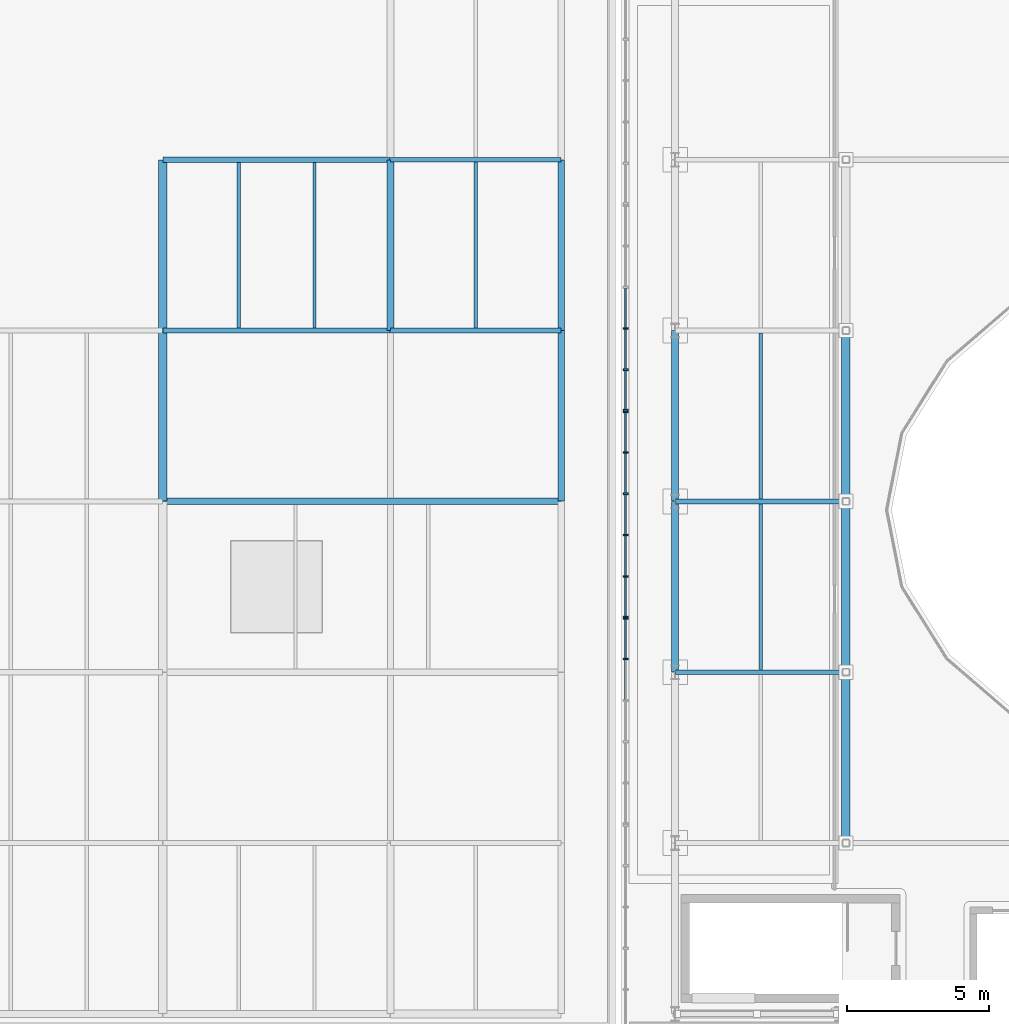
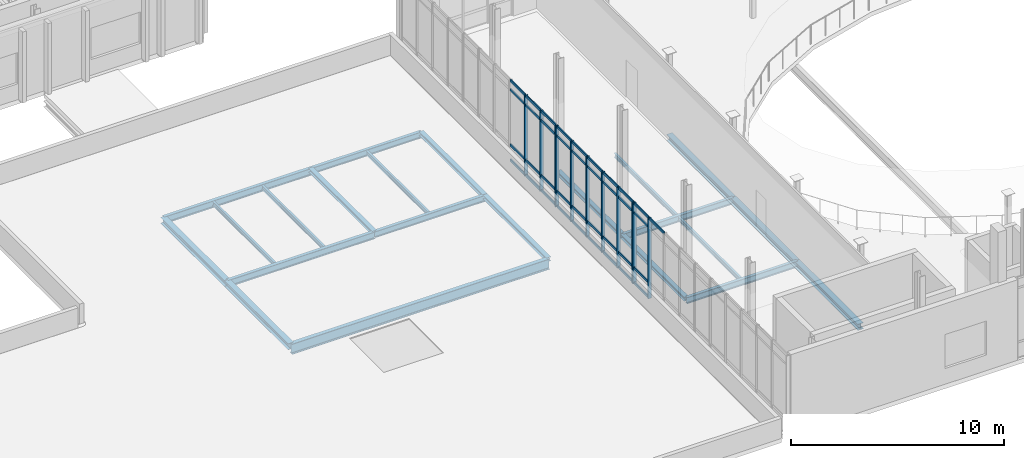
# One storey, part 14 of 86: 48 members, 22 beams, 3 elements without a shape of their own.
"""IFC4 building model written with IfcOpenShell, lengths in metres."""

from ifc_helpers import new_model, si_unit, direction, frame, origin, origin_2d, place, context, subcontext, project, spatial, rectangle, i_section, extrude, material, material_profile, profile_set, type_object, element, aggregate, save


model = new_model("IFC4")

# Units and contexts
model_context = context("Model", 3, precision=1e-05, world=origin(), true_north=direction((0.0, 1.0)))
body_context = subcontext(model_context, "Body", "Model", "MODEL_VIEW")
ifc_project = project(units=[si_unit("LENGTHUNIT", "METRE"), si_unit("AREAUNIT", "SQUARE_METRE"), si_unit("VOLUMEUNIT", "CUBIC_METRE"), si_unit("PLANEANGLEUNIT", "RADIAN"), si_unit("MASSUNIT", "GRAM", prefix="KILO")], contexts=[model_context])

# Site, building, storey
site_placement = place(None, origin())
site = spatial("IfcSite", under=ifc_project, at=site_placement, CompositionType="ELEMENT")
building_placement = place(site_placement, origin())
building = spatial("IfcBuilding", under=site, at=building_placement, Name="Cymarion Research Institute", CompositionType="ELEMENT")
storey_placement = place(building_placement, frame((0.0, 0.0, 13.800048828125)))
storey = spatial("IfcBuildingStorey", under=building, at=storey_placement, Name="L03", CompositionType="ELEMENT", Elevation=13.800048828125)

# Curtain wall, members
ifc_material_1 = material(Name="Anodised aluminium unitised curtain wall with Low-E glazing", Category="aluminium")
curtain_wall_type = type_object("IfcCurtainWallType", Name="UNITISED CURTAIN WALL CW34 7260X4620", PredefinedType="NOTDEFINED", material=ifc_material_1)
curtain_wall_1_placement = place(storey_placement, origin())
curtain_wall_1 = element("IfcCurtainWall", 1, at=curtain_wall_1_placement, inside=storey, type_object=curtain_wall_type, Name="L03 V2 unitised curtain wall CW34 #148", PredefinedType="NOTDEFINED")
ifc_material_2 = material(Name="Anodised aluminium framing", Category="aluminium")
ifc_material_profile_1 = material_profile(ifc_material_2, rectangle(XDim=0.06005859375, YDim=0.179931640625, at=origin_2d()), Name="ALU MULLION 60x180")
ifc_profile_set_1 = profile_set([ifc_material_profile_1], Name="Anodised aluminium framing")
member_type_1 = type_object("IfcMemberType", Name="CURTAIN WALL MULLION ML01 60X180", PredefinedType="MULLION", material=ifc_profile_set_1)
member_1_placement = place(storey_placement, frame((54.860107421875, 29.5703125, 0.0), z_axis=(0.0, 0.0, 1.0), x_axis=(0.0, -1.0, 0.0)))
member_1 = element("IfcMember", 2, at=member_1_placement, type_object=member_type_1, Name="CW34 mullion 4", PredefinedType="MULLION", context=body_context, shape_type="SweptSolid", body=[
    extrude(rectangle(XDim=0.06005859375, YDim=0.179931640625, at=origin_2d()), origin(), (0.0, 0.0, 1.0), 4.619873046875),
])
member_2_placement = place(storey_placement, frame((54.860107421875, 28.119140625, 0.0), z_axis=(0.0, 0.0, 1.0), x_axis=(0.0, -1.0, 0.0)))
member_2 = element("IfcMember", 3, at=member_2_placement, type_object=member_type_1, Name="CW34 mullion 5", PredefinedType="MULLION", context=body_context, shape_type="SweptSolid", body=[
    extrude(rectangle(XDim=0.06005859375, YDim=0.179931640625, at=origin_2d()), origin(), (0.0, 0.0, 1.0), 4.619873046875),
])
member_3_placement = place(storey_placement, frame((54.860107421875, 26.697998046875, 0.0), z_axis=(0.0, 0.0, 1.0), x_axis=(0.0, -1.0, 0.0)))
member_3 = element("IfcMember", 4, at=member_3_placement, type_object=member_type_1, Name="CW34 mullion 6", PredefinedType="MULLION", context=body_context, shape_type="SweptSolid", body=[
    extrude(rectangle(XDim=0.06005859375, YDim=0.179931640625, at=origin_2d()), origin(), (0.0, 0.0, 1.0), 4.619873046875),
])

curtain_wall_2_placement = place(storey_placement, origin())
curtain_wall_2 = element("IfcCurtainWall", 5, at=curtain_wall_2_placement, inside=storey, type_object=curtain_wall_type, Name="L03 V2 unitised curtain wall CW34 #149", PredefinedType="NOTDEFINED")
member_4_placement = place(storey_placement, frame((54.860107421875, 26.637939453125, 0.0), z_axis=(0.0, 0.0, 1.0), x_axis=(0.0, -1.0, 0.0)))
member_4 = element("IfcMember", 6, at=member_4_placement, type_object=member_type_1, Name="CW34 mullion 1", PredefinedType="MULLION", context=body_context, shape_type="SweptSolid", body=[
    extrude(rectangle(XDim=0.06005859375, YDim=0.179931640625, at=origin_2d()), origin(), (0.0, 0.0, 1.0), 4.619873046875),
])
member_5_placement = place(storey_placement, frame((54.860107421875, 25.216796875, 0.0), z_axis=(0.0, 0.0, 1.0), x_axis=(0.0, -1.0, 0.0)))
member_5 = element("IfcMember", 7, at=member_5_placement, type_object=member_type_1, Name="CW34 mullion 2", PredefinedType="MULLION", context=body_context, shape_type="SweptSolid", body=[
    extrude(rectangle(XDim=0.06005859375, YDim=0.179931640625, at=origin_2d()), origin(), (0.0, 0.0, 1.0), 4.619873046875),
])
member_6_placement = place(storey_placement, frame((54.860107421875, 23.765625, 0.0), z_axis=(0.0, 0.0, 1.0), x_axis=(0.0, -1.0, 0.0)))
member_6 = element("IfcMember", 8, at=member_6_placement, type_object=member_type_1, Name="CW34 mullion 3", PredefinedType="MULLION", context=body_context, shape_type="SweptSolid", body=[
    extrude(rectangle(XDim=0.06005859375, YDim=0.179931640625, at=origin_2d()), origin(), (0.0, 0.0, 1.0), 4.619873046875),
])
member_7_placement = place(storey_placement, frame((54.860107421875, 22.314453125, 0.0), z_axis=(0.0, 0.0, 1.0), x_axis=(0.0, -1.0, 0.0)))
member_7 = element("IfcMember", 9, at=member_7_placement, type_object=member_type_1, Name="CW34 mullion 4", PredefinedType="MULLION", context=body_context, shape_type="SweptSolid", body=[
    extrude(rectangle(XDim=0.06005859375, YDim=0.179931640625, at=origin_2d()), origin(), (0.0, 0.0, 1.0), 4.619873046875),
])
member_8_placement = place(storey_placement, frame((54.860107421875, 20.86328125, 0.0), z_axis=(0.0, 0.0, 1.0), x_axis=(0.0, -1.0, 0.0)))
member_8 = element("IfcMember", 10, at=member_8_placement, type_object=member_type_1, Name="CW34 mullion 5", PredefinedType="MULLION", context=body_context, shape_type="SweptSolid", body=[
    extrude(rectangle(XDim=0.06005859375, YDim=0.179931640625, at=origin_2d()), origin(), (0.0, 0.0, 1.0), 4.619873046875),
])
member_9_placement = place(storey_placement, frame((54.860107421875, 19.44189453125, 0.0), z_axis=(0.0, 0.0, 1.0), x_axis=(0.0, -1.0, 0.0)))
member_9 = element("IfcMember", 11, at=member_9_placement, type_object=member_type_1, Name="CW34 mullion 6", PredefinedType="MULLION", context=body_context, shape_type="SweptSolid", body=[
    extrude(rectangle(XDim=0.06005859375, YDim=0.179931640625, at=origin_2d()), origin(), (0.0, 0.0, 1.0), 4.619873046875),
])

curtain_wall_3_placement = place(storey_placement, origin())
curtain_wall_3 = element("IfcCurtainWall", 12, at=curtain_wall_3_placement, inside=storey, type_object=curtain_wall_type, Name="L03 V2 unitised curtain wall CW34 #150", PredefinedType="NOTDEFINED")
member_10_placement = place(storey_placement, frame((54.860107421875, 19.382080078125, 0.0), z_axis=(0.0, 0.0, 1.0), x_axis=(0.0, -1.0, 0.0)))
member_10 = element("IfcMember", 13, at=member_10_placement, type_object=member_type_1, Name="CW34 mullion 1", PredefinedType="MULLION", context=body_context, shape_type="SweptSolid", body=[
    extrude(rectangle(XDim=0.06005859375, YDim=0.179931640625, at=origin_2d()), origin(), (0.0, 0.0, 1.0), 4.619873046875),
])
member_11_placement = place(storey_placement, frame((54.860107421875, 17.960693359375, 0.0), z_axis=(0.0, 0.0, 1.0), x_axis=(0.0, -1.0, 0.0)))
member_11 = element("IfcMember", 14, at=member_11_placement, type_object=member_type_1, Name="CW34 mullion 2", PredefinedType="MULLION", context=body_context, shape_type="SweptSolid", body=[
    extrude(rectangle(XDim=0.06005859375, YDim=0.179931640625, at=origin_2d()), origin(), (0.0, 0.0, 1.0), 4.619873046875),
])

# Member
ifc_material_profile_2 = material_profile(ifc_material_2, rectangle(XDim=0.06005859375, YDim=0.14990234375, at=origin_2d()), Name="ALU TRANSOM 60x150")
ifc_profile_set_2 = profile_set([ifc_material_profile_2], Name="Anodised aluminium framing")
member_type_2 = type_object("IfcMemberType", Name="CURTAIN WALL TRANSOM TR01 60X150", PredefinedType="USERDEFINED", material=ifc_profile_set_2)
member_12_placement = place(storey_placement, frame((54.860107421875, 30.99169921875, 0.030029296875), z_axis=(0.0, -1.0, 0.0), x_axis=(1.0, 0.0, 0.0)))
member_12 = element("IfcMember", 15, at=member_12_placement, type_object=member_type_2, Name="CW34 transom 3.1", ObjectType="TRANSOM", PredefinedType="USERDEFINED", context=body_context, shape_type="SweptSolid", body=[
    extrude(rectangle(XDim=0.06005859375, YDim=0.14990234375, at=origin_2d()), origin(), (0.0, 0.0, 1.0), 1.391357421875),
])

member_13_placement = place(storey_placement, frame((54.860107421875, 30.99169921875, 0.89990234375), z_axis=(0.0, -1.0, 0.0), x_axis=(1.0, 0.0, 0.0)))
member_13 = element("IfcMember", 16, at=member_13_placement, type_object=member_type_2, Name="CW34 transom 3.2", ObjectType="TRANSOM", PredefinedType="USERDEFINED", context=body_context, shape_type="SweptSolid", body=[
    extrude(rectangle(XDim=0.06005859375, YDim=0.14990234375, at=origin_2d()), origin(), (0.0, 0.0, 1.0), 1.391357421875),
])

member_14_placement = place(storey_placement, frame((54.860107421875, 30.99169921875, 4.070068359375), z_axis=(0.0, -1.0, 0.0), x_axis=(1.0, 0.0, 0.0)))
member_14 = element("IfcMember", 17, at=member_14_placement, type_object=member_type_2, Name="CW34 transom 3.3", ObjectType="TRANSOM", PredefinedType="USERDEFINED", context=body_context, shape_type="SweptSolid", body=[
    extrude(rectangle(XDim=0.06005859375, YDim=0.14990234375, at=origin_2d()), origin(), (0.0, 0.0, 1.0), 1.391357421875),
])

member_15_placement = place(storey_placement, frame((54.860107421875, 30.99169921875, 4.58984375), z_axis=(0.0, -1.0, 0.0), x_axis=(1.0, 0.0, 0.0)))
member_15 = element("IfcMember", 18, at=member_15_placement, type_object=member_type_2, Name="CW34 transom 3.4", ObjectType="TRANSOM", PredefinedType="USERDEFINED", context=body_context, shape_type="SweptSolid", body=[
    extrude(rectangle(XDim=0.06005859375, YDim=0.14990234375, at=origin_2d()), origin(), (0.0, 0.0, 1.0), 1.391357421875),
])

member_16_placement = place(storey_placement, frame((54.860107421875, 29.540283203125, 0.030029296875), z_axis=(0.0, -1.0, 0.0), x_axis=(1.0, 0.0, 0.0)))
member_16 = element("IfcMember", 19, at=member_16_placement, type_object=member_type_2, Name="CW34 transom 4.1", ObjectType="TRANSOM", PredefinedType="USERDEFINED", context=body_context, shape_type="SweptSolid", body=[
    extrude(rectangle(XDim=0.06005859375, YDim=0.14990234375, at=origin_2d()), origin(), (0.0, 0.0, 1.0), 1.39111328125),
])

member_17_placement = place(storey_placement, frame((54.860107421875, 29.540283203125, 0.89990234375), z_axis=(0.0, -1.0, 0.0), x_axis=(1.0, 0.0, 0.0)))
member_17 = element("IfcMember", 20, at=member_17_placement, type_object=member_type_2, Name="CW34 transom 4.2", ObjectType="TRANSOM", PredefinedType="USERDEFINED", context=body_context, shape_type="SweptSolid", body=[
    extrude(rectangle(XDim=0.06005859375, YDim=0.14990234375, at=origin_2d()), origin(), (0.0, 0.0, 1.0), 1.39111328125),
])

member_18_placement = place(storey_placement, frame((54.860107421875, 29.540283203125, 4.070068359375), z_axis=(0.0, -1.0, 0.0), x_axis=(1.0, 0.0, 0.0)))
member_18 = element("IfcMember", 21, at=member_18_placement, type_object=member_type_2, Name="CW34 transom 4.3", ObjectType="TRANSOM", PredefinedType="USERDEFINED", context=body_context, shape_type="SweptSolid", body=[
    extrude(rectangle(XDim=0.06005859375, YDim=0.14990234375, at=origin_2d()), origin(), (0.0, 0.0, 1.0), 1.39111328125),
])

member_19_placement = place(storey_placement, frame((54.860107421875, 29.540283203125, 4.58984375), z_axis=(0.0, -1.0, 0.0), x_axis=(1.0, 0.0, 0.0)))
member_19 = element("IfcMember", 22, at=member_19_placement, type_object=member_type_2, Name="CW34 transom 4.4", ObjectType="TRANSOM", PredefinedType="USERDEFINED", context=body_context, shape_type="SweptSolid", body=[
    extrude(rectangle(XDim=0.06005859375, YDim=0.14990234375, at=origin_2d()), origin(), (0.0, 0.0, 1.0), 1.39111328125),
])

member_20_placement = place(storey_placement, frame((54.860107421875, 28.089111328125, 0.030029296875), z_axis=(0.0, -1.0, 0.0), x_axis=(1.0, 0.0, 0.0)))
member_20 = element("IfcMember", 23, at=member_20_placement, type_object=member_type_2, Name="CW34 transom 5.1", ObjectType="TRANSOM", PredefinedType="USERDEFINED", context=body_context, shape_type="SweptSolid", body=[
    extrude(rectangle(XDim=0.06005859375, YDim=0.14990234375, at=origin_2d()), origin(), (0.0, 0.0, 1.0), 1.361083984375),
])

member_21_placement = place(storey_placement, frame((54.860107421875, 28.089111328125, 0.89990234375), z_axis=(0.0, -1.0, 0.0), x_axis=(1.0, 0.0, 0.0)))
member_21 = element("IfcMember", 24, at=member_21_placement, type_object=member_type_2, Name="CW34 transom 5.2", ObjectType="TRANSOM", PredefinedType="USERDEFINED", context=body_context, shape_type="SweptSolid", body=[
    extrude(rectangle(XDim=0.06005859375, YDim=0.14990234375, at=origin_2d()), origin(), (0.0, 0.0, 1.0), 1.361083984375),
])

member_22_placement = place(storey_placement, frame((54.860107421875, 28.089111328125, 4.070068359375), z_axis=(0.0, -1.0, 0.0), x_axis=(1.0, 0.0, 0.0)))
member_22 = element("IfcMember", 25, at=member_22_placement, type_object=member_type_2, Name="CW34 transom 5.3", ObjectType="TRANSOM", PredefinedType="USERDEFINED", context=body_context, shape_type="SweptSolid", body=[
    extrude(rectangle(XDim=0.06005859375, YDim=0.14990234375, at=origin_2d()), origin(), (0.0, 0.0, 1.0), 1.361083984375),
])

member_23_placement = place(storey_placement, frame((54.860107421875, 28.089111328125, 4.58984375), z_axis=(0.0, -1.0, 0.0), x_axis=(1.0, 0.0, 0.0)))
member_23 = element("IfcMember", 26, at=member_23_placement, type_object=member_type_2, Name="CW34 transom 5.4", ObjectType="TRANSOM", PredefinedType="USERDEFINED", context=body_context, shape_type="SweptSolid", body=[
    extrude(rectangle(XDim=0.06005859375, YDim=0.14990234375, at=origin_2d()), origin(), (0.0, 0.0, 1.0), 1.361083984375),
])

aggregate(curtain_wall_1, [member_1, member_2, member_3, member_12, member_13, member_14, member_15, member_16, member_17, member_18, member_19, member_20, member_21, member_22, member_23])

member_24_placement = place(storey_placement, frame((54.860107421875, 26.60791015625, 0.030029296875), z_axis=(0.0, -1.0, 0.0), x_axis=(1.0, 0.0, 0.0)))
member_24 = element("IfcMember", 27, at=member_24_placement, type_object=member_type_2, Name="CW34 transom 1.1", ObjectType="TRANSOM", PredefinedType="USERDEFINED", context=body_context, shape_type="SweptSolid", body=[
    extrude(rectangle(XDim=0.06005859375, YDim=0.14990234375, at=origin_2d()), origin(), (0.0, 0.0, 1.0), 1.361083984375),
])

member_25_placement = place(storey_placement, frame((54.860107421875, 26.60791015625, 0.89990234375), z_axis=(0.0, -1.0, 0.0), x_axis=(1.0, 0.0, 0.0)))
member_25 = element("IfcMember", 28, at=member_25_placement, type_object=member_type_2, Name="CW34 transom 1.2", ObjectType="TRANSOM", PredefinedType="USERDEFINED", context=body_context, shape_type="SweptSolid", body=[
    extrude(rectangle(XDim=0.06005859375, YDim=0.14990234375, at=origin_2d()), origin(), (0.0, 0.0, 1.0), 1.361083984375),
])

member_26_placement = place(storey_placement, frame((54.860107421875, 26.60791015625, 4.070068359375), z_axis=(0.0, -1.0, 0.0), x_axis=(1.0, 0.0, 0.0)))
member_26 = element("IfcMember", 29, at=member_26_placement, type_object=member_type_2, Name="CW34 transom 1.3", ObjectType="TRANSOM", PredefinedType="USERDEFINED", context=body_context, shape_type="SweptSolid", body=[
    extrude(rectangle(XDim=0.06005859375, YDim=0.14990234375, at=origin_2d()), origin(), (0.0, 0.0, 1.0), 1.361083984375),
])

member_27_placement = place(storey_placement, frame((54.860107421875, 26.60791015625, 4.58984375), z_axis=(0.0, -1.0, 0.0), x_axis=(1.0, 0.0, 0.0)))
member_27 = element("IfcMember", 30, at=member_27_placement, type_object=member_type_2, Name="CW34 transom 1.4", ObjectType="TRANSOM", PredefinedType="USERDEFINED", context=body_context, shape_type="SweptSolid", body=[
    extrude(rectangle(XDim=0.06005859375, YDim=0.14990234375, at=origin_2d()), origin(), (0.0, 0.0, 1.0), 1.361083984375),
])

member_28_placement = place(storey_placement, frame((54.860107421875, 25.186767578125, 0.030029296875), z_axis=(0.0, -1.0, 0.0), x_axis=(1.0, 0.0, 0.0)))
member_28 = element("IfcMember", 31, at=member_28_placement, type_object=member_type_2, Name="CW34 transom 2.1", ObjectType="TRANSOM", PredefinedType="USERDEFINED", context=body_context, shape_type="SweptSolid", body=[
    extrude(rectangle(XDim=0.06005859375, YDim=0.14990234375, at=origin_2d()), origin(), (0.0, 0.0, 1.0), 1.39111328125),
])

member_29_placement = place(storey_placement, frame((54.860107421875, 25.186767578125, 0.89990234375), z_axis=(0.0, -1.0, 0.0), x_axis=(1.0, 0.0, 0.0)))
member_29 = element("IfcMember", 32, at=member_29_placement, type_object=member_type_2, Name="CW34 transom 2.2", ObjectType="TRANSOM", PredefinedType="USERDEFINED", context=body_context, shape_type="SweptSolid", body=[
    extrude(rectangle(XDim=0.06005859375, YDim=0.14990234375, at=origin_2d()), origin(), (0.0, 0.0, 1.0), 1.39111328125),
])

member_30_placement = place(storey_placement, frame((54.860107421875, 25.186767578125, 4.070068359375), z_axis=(0.0, -1.0, 0.0), x_axis=(1.0, 0.0, 0.0)))
member_30 = element("IfcMember", 33, at=member_30_placement, type_object=member_type_2, Name="CW34 transom 2.3", ObjectType="TRANSOM", PredefinedType="USERDEFINED", context=body_context, shape_type="SweptSolid", body=[
    extrude(rectangle(XDim=0.06005859375, YDim=0.14990234375, at=origin_2d()), origin(), (0.0, 0.0, 1.0), 1.39111328125),
])

member_31_placement = place(storey_placement, frame((54.860107421875, 25.186767578125, 4.58984375), z_axis=(0.0, -1.0, 0.0), x_axis=(1.0, 0.0, 0.0)))
member_31 = element("IfcMember", 34, at=member_31_placement, type_object=member_type_2, Name="CW34 transom 2.4", ObjectType="TRANSOM", PredefinedType="USERDEFINED", context=body_context, shape_type="SweptSolid", body=[
    extrude(rectangle(XDim=0.06005859375, YDim=0.14990234375, at=origin_2d()), origin(), (0.0, 0.0, 1.0), 1.39111328125),
])

member_32_placement = place(storey_placement, frame((54.860107421875, 23.735595703125, 0.030029296875), z_axis=(0.0, -1.0, 0.0), x_axis=(1.0, 0.0, 0.0)))
member_32 = element("IfcMember", 35, at=member_32_placement, type_object=member_type_2, Name="CW34 transom 3.1", ObjectType="TRANSOM", PredefinedType="USERDEFINED", context=body_context, shape_type="SweptSolid", body=[
    extrude(rectangle(XDim=0.06005859375, YDim=0.14990234375, at=origin_2d()), origin(), (0.0, 0.0, 1.0), 1.39111328125),
])

member_33_placement = place(storey_placement, frame((54.860107421875, 23.735595703125, 0.89990234375), z_axis=(0.0, -1.0, 0.0), x_axis=(1.0, 0.0, 0.0)))
member_33 = element("IfcMember", 36, at=member_33_placement, type_object=member_type_2, Name="CW34 transom 3.2", ObjectType="TRANSOM", PredefinedType="USERDEFINED", context=body_context, shape_type="SweptSolid", body=[
    extrude(rectangle(XDim=0.06005859375, YDim=0.14990234375, at=origin_2d()), origin(), (0.0, 0.0, 1.0), 1.39111328125),
])

member_34_placement = place(storey_placement, frame((54.860107421875, 23.735595703125, 4.070068359375), z_axis=(0.0, -1.0, 0.0), x_axis=(1.0, 0.0, 0.0)))
member_34 = element("IfcMember", 37, at=member_34_placement, type_object=member_type_2, Name="CW34 transom 3.3", ObjectType="TRANSOM", PredefinedType="USERDEFINED", context=body_context, shape_type="SweptSolid", body=[
    extrude(rectangle(XDim=0.06005859375, YDim=0.14990234375, at=origin_2d()), origin(), (0.0, 0.0, 1.0), 1.39111328125),
])

member_35_placement = place(storey_placement, frame((54.860107421875, 23.735595703125, 4.58984375), z_axis=(0.0, -1.0, 0.0), x_axis=(1.0, 0.0, 0.0)))
member_35 = element("IfcMember", 38, at=member_35_placement, type_object=member_type_2, Name="CW34 transom 3.4", ObjectType="TRANSOM", PredefinedType="USERDEFINED", context=body_context, shape_type="SweptSolid", body=[
    extrude(rectangle(XDim=0.06005859375, YDim=0.14990234375, at=origin_2d()), origin(), (0.0, 0.0, 1.0), 1.39111328125),
])

member_36_placement = place(storey_placement, frame((54.860107421875, 22.284423828125, 0.030029296875), z_axis=(0.0, -1.0, 0.0), x_axis=(1.0, 0.0, 0.0)))
member_36 = element("IfcMember", 39, at=member_36_placement, type_object=member_type_2, Name="CW34 transom 4.1", ObjectType="TRANSOM", PredefinedType="USERDEFINED", context=body_context, shape_type="SweptSolid", body=[
    extrude(rectangle(XDim=0.06005859375, YDim=0.14990234375, at=origin_2d()), origin(), (0.0, 0.0, 1.0), 1.39111328125),
])

member_37_placement = place(storey_placement, frame((54.860107421875, 22.284423828125, 0.89990234375), z_axis=(0.0, -1.0, 0.0), x_axis=(1.0, 0.0, 0.0)))
member_37 = element("IfcMember", 40, at=member_37_placement, type_object=member_type_2, Name="CW34 transom 4.2", ObjectType="TRANSOM", PredefinedType="USERDEFINED", context=body_context, shape_type="SweptSolid", body=[
    extrude(rectangle(XDim=0.06005859375, YDim=0.14990234375, at=origin_2d()), origin(), (0.0, 0.0, 1.0), 1.39111328125),
])

member_38_placement = place(storey_placement, frame((54.860107421875, 22.284423828125, 4.070068359375), z_axis=(0.0, -1.0, 0.0), x_axis=(1.0, 0.0, 0.0)))
member_38 = element("IfcMember", 41, at=member_38_placement, type_object=member_type_2, Name="CW34 transom 4.3", ObjectType="TRANSOM", PredefinedType="USERDEFINED", context=body_context, shape_type="SweptSolid", body=[
    extrude(rectangle(XDim=0.06005859375, YDim=0.14990234375, at=origin_2d()), origin(), (0.0, 0.0, 1.0), 1.39111328125),
])

member_39_placement = place(storey_placement, frame((54.860107421875, 22.284423828125, 4.58984375), z_axis=(0.0, -1.0, 0.0), x_axis=(1.0, 0.0, 0.0)))
member_39 = element("IfcMember", 42, at=member_39_placement, type_object=member_type_2, Name="CW34 transom 4.4", ObjectType="TRANSOM", PredefinedType="USERDEFINED", context=body_context, shape_type="SweptSolid", body=[
    extrude(rectangle(XDim=0.06005859375, YDim=0.14990234375, at=origin_2d()), origin(), (0.0, 0.0, 1.0), 1.39111328125),
])

member_40_placement = place(storey_placement, frame((54.860107421875, 20.833251953125, 0.030029296875), z_axis=(0.0, -1.0, 0.0), x_axis=(1.0, 0.0, 0.0)))
member_40 = element("IfcMember", 43, at=member_40_placement, type_object=member_type_2, Name="CW34 transom 5.1", ObjectType="TRANSOM", PredefinedType="USERDEFINED", context=body_context, shape_type="SweptSolid", body=[
    extrude(rectangle(XDim=0.06005859375, YDim=0.14990234375, at=origin_2d()), origin(), (0.0, 0.0, 1.0), 1.361328125),
])

member_41_placement = place(storey_placement, frame((54.860107421875, 20.833251953125, 0.89990234375), z_axis=(0.0, -1.0, 0.0), x_axis=(1.0, 0.0, 0.0)))
member_41 = element("IfcMember", 44, at=member_41_placement, type_object=member_type_2, Name="CW34 transom 5.2", ObjectType="TRANSOM", PredefinedType="USERDEFINED", context=body_context, shape_type="SweptSolid", body=[
    extrude(rectangle(XDim=0.06005859375, YDim=0.14990234375, at=origin_2d()), origin(), (0.0, 0.0, 1.0), 1.361328125),
])

member_42_placement = place(storey_placement, frame((54.860107421875, 20.833251953125, 4.070068359375), z_axis=(0.0, -1.0, 0.0), x_axis=(1.0, 0.0, 0.0)))
member_42 = element("IfcMember", 45, at=member_42_placement, type_object=member_type_2, Name="CW34 transom 5.3", ObjectType="TRANSOM", PredefinedType="USERDEFINED", context=body_context, shape_type="SweptSolid", body=[
    extrude(rectangle(XDim=0.06005859375, YDim=0.14990234375, at=origin_2d()), origin(), (0.0, 0.0, 1.0), 1.361328125),
])

member_43_placement = place(storey_placement, frame((54.860107421875, 20.833251953125, 4.58984375), z_axis=(0.0, -1.0, 0.0), x_axis=(1.0, 0.0, 0.0)))
member_43 = element("IfcMember", 46, at=member_43_placement, type_object=member_type_2, Name="CW34 transom 5.4", ObjectType="TRANSOM", PredefinedType="USERDEFINED", context=body_context, shape_type="SweptSolid", body=[
    extrude(rectangle(XDim=0.06005859375, YDim=0.14990234375, at=origin_2d()), origin(), (0.0, 0.0, 1.0), 1.361328125),
])

aggregate(curtain_wall_2, [member_4, member_5, member_6, member_7, member_8, member_9, member_24, member_25, member_26, member_27, member_28, member_29, member_30, member_31, member_32, member_33, member_34, member_35, member_36, member_37, member_38, member_39, member_40, member_41, member_42, member_43])

member_44_placement = place(storey_placement, frame((54.860107421875, 19.35205078125, 0.030029296875), z_axis=(0.0, -1.0, 0.0), x_axis=(1.0, 0.0, 0.0)))
member_44 = element("IfcMember", 47, at=member_44_placement, type_object=member_type_2, Name="CW34 transom 1.1", ObjectType="TRANSOM", PredefinedType="USERDEFINED", context=body_context, shape_type="SweptSolid", body=[
    extrude(rectangle(XDim=0.06005859375, YDim=0.14990234375, at=origin_2d()), origin(), (0.0, 0.0, 1.0), 1.361328125),
])

member_45_placement = place(storey_placement, frame((54.860107421875, 19.35205078125, 0.89990234375), z_axis=(0.0, -1.0, 0.0), x_axis=(1.0, 0.0, 0.0)))
member_45 = element("IfcMember", 48, at=member_45_placement, type_object=member_type_2, Name="CW34 transom 1.2", ObjectType="TRANSOM", PredefinedType="USERDEFINED", context=body_context, shape_type="SweptSolid", body=[
    extrude(rectangle(XDim=0.06005859375, YDim=0.14990234375, at=origin_2d()), origin(), (0.0, 0.0, 1.0), 1.361328125),
])

member_46_placement = place(storey_placement, frame((54.860107421875, 19.35205078125, 4.070068359375), z_axis=(0.0, -1.0, 0.0), x_axis=(1.0, 0.0, 0.0)))
member_46 = element("IfcMember", 49, at=member_46_placement, type_object=member_type_2, Name="CW34 transom 1.3", ObjectType="TRANSOM", PredefinedType="USERDEFINED", context=body_context, shape_type="SweptSolid", body=[
    extrude(rectangle(XDim=0.06005859375, YDim=0.14990234375, at=origin_2d()), origin(), (0.0, 0.0, 1.0), 1.361328125),
])

member_47_placement = place(storey_placement, frame((54.860107421875, 19.35205078125, 4.58984375), z_axis=(0.0, -1.0, 0.0), x_axis=(1.0, 0.0, 0.0)))
member_47 = element("IfcMember", 50, at=member_47_placement, type_object=member_type_2, Name="CW34 transom 1.4", ObjectType="TRANSOM", PredefinedType="USERDEFINED", context=body_context, shape_type="SweptSolid", body=[
    extrude(rectangle(XDim=0.06005859375, YDim=0.14990234375, at=origin_2d()), origin(), (0.0, 0.0, 1.0), 1.361328125),
])

member_48_placement = place(storey_placement, frame((54.860107421875, 17.930908203125, 4.58984375), z_axis=(0.0, -1.0, 0.0), x_axis=(1.0, 0.0, 0.0)))
member_48 = element("IfcMember", 51, at=member_48_placement, type_object=member_type_2, Name="CW34 transom 2.4", ObjectType="TRANSOM", PredefinedType="USERDEFINED", context=body_context, shape_type="SweptSolid", body=[
    extrude(rectangle(XDim=0.06005859375, YDim=0.14990234375, at=origin_2d()), origin(), (0.0, 0.0, 1.0), 1.391357421875),
])

aggregate(curtain_wall_3, [member_10, member_11, member_44, member_45, member_46, member_47, member_48])

# Beams
ifc_material_3 = material(Name="Steel S355", Category="steel")
ifc_material_profile_3 = material_profile(ifc_material_3, i_section(OverallWidth=0.219970703125, OverallDepth=0.60009765625, WebThickness=0.011962890625, FlangeThickness=0.01904296875, FilletRadius=0.02392578125, at=origin_2d()), Name="IPE 600")
ifc_profile_set_3 = profile_set([ifc_material_profile_3], Name="Steel S355")
beam_type_1 = type_object("IfcBeamType", Name="PRIMARY GIRDER BM01 IPE 600", PredefinedType="BEAM", material=ifc_profile_set_3)
beam_1_placement = place(storey_placement, frame((38.60595703125, 23.5, -0.5400390625), z_axis=(1.0, 0.0, 0.0), x_axis=(0.0, 1.0, 0.0)))
element("IfcBeam", 52, at=beam_1_placement, inside=storey, type_object=beam_type_1, Name="L03 V3 girder BM01 #1368", PredefinedType="BEAM", context=body_context, shape_type="SweptSolid", body=[
    extrude(i_section(OverallWidth=0.219970703125, OverallDepth=0.60009765625, WebThickness=0.011962890625, FlangeThickness=0.01904296875, FilletRadius=0.02392578125, at=origin_2d()), origin(), (0.0, 0.0, 1.0), 13.988037109375),
])
ifc_material_profile_4 = material_profile(ifc_material_3, i_section(OverallWidth=0.179931640625, OverallDepth=0.39990234375, WebThickness=0.008544921875, FlangeThickness=0.013427734375, FilletRadius=0.02099609375, at=origin_2d()), Name="IPE 400")
ifc_profile_set_4 = profile_set([ifc_material_profile_4], Name="Steel S355")
beam_type_2 = type_object("IfcBeamType", Name="PRIMARY GIRDER BM05 IPE 400", PredefinedType="BEAM", material=ifc_profile_set_4)
for number, where, z_axis, x_axis, name in (
    (53, (38.60595703125, 29.5, -0.43994140625), (1.0, 0.0, 0.0), (0.0, 1.0, 0.0), "L03 V3 girder BM05 #1373"),
    (54, (38.60595703125, 35.5, -0.43994140625), (1.0, 0.0, 0.0), (0.0, 1.0, 0.0), "L03 V3 girder BM05 #1375"),
):
    element("IfcBeam", number, at=place(storey_placement, frame(where, z_axis=z_axis, x_axis=x_axis)), inside=storey, type_object=beam_type_2, Name=name, PredefinedType="BEAM", context=body_context, shape_type="SweptSolid", body=[
        extrude(i_section(OverallWidth=0.179931640625, OverallDepth=0.39990234375, WebThickness=0.008544921875, FlangeThickness=0.013427734375, FilletRadius=0.02099609375, at=origin_2d()), origin(), (0.0, 0.0, 1.0), 7.988037109375),
    ])
ifc_material_profile_5 = material_profile(ifc_material_3, i_section(OverallWidth=0.169921875, OverallDepth=0.360107421875, WebThickness=0.008056640625, FlangeThickness=0.0126953125, FilletRadius=0.01806640625, at=origin_2d()), Name="IPE 360")
ifc_profile_set_5 = profile_set([ifc_material_profile_5], Name="Steel S355")
beam_type_3 = type_object("IfcBeamType", Name="PRIMARY GIRDER BM06 IPE 360", PredefinedType="BEAM", material=ifc_profile_set_5)
for number, where, z_axis, x_axis, name in (
    (55, (56.60595703125, 17.5, -0.429931640625), (1.0, 0.0, 0.0), (0.0, 1.0, 0.0), "L03 V2 girder BM06 #1294"),
    (56, (56.60595703125, 23.5, -0.429931640625), (1.0, 0.0, 0.0), (0.0, 1.0, 0.0), "L03 V2 girder BM06 #1296"),
    (57, (46.60595703125, 29.5, -0.420166015625), (1.0, 0.0, 0.0), (0.0, 1.0, 0.0), "L03 V3 girder BM06 #1374"),
    (58, (46.60595703125, 35.5, -0.420166015625), (1.0, 0.0, 0.0), (0.0, 1.0, 0.0), "L03 V3 girder BM06 #1376"),
):
    element("IfcBeam", number, at=place(storey_placement, frame(where, z_axis=z_axis, x_axis=x_axis)), inside=storey, type_object=beam_type_3, Name=name, PredefinedType="BEAM", context=body_context, shape_type="SweptSolid", body=[
        extrude(i_section(OverallWidth=0.169921875, OverallDepth=0.360107421875, WebThickness=0.008056640625, FlangeThickness=0.0126953125, FilletRadius=0.01806640625, at=origin_2d()), origin(), (0.0, 0.0, 1.0), 5.988037109375),
    ])
ifc_material_profile_6 = material_profile(ifc_material_3, i_section(OverallWidth=0.300048828125, OverallDepth=0.35009765625, WebThickness=0.010009765625, FlangeThickness=0.017578125, FilletRadius=0.027099609375, at=origin_2d()), Name="HEA 360")
ifc_profile_set_6 = profile_set([ifc_material_profile_6], Name="Steel S355")
beam_type_4 = type_object("IfcBeamType", Name="PRIMARY GIRDER BM12 HEA 360", PredefinedType="BEAM", material=ifc_profile_set_6)
for number, where, z_axis, x_axis, name in (
    (59, (62.60009765625, 11.506103515625, -0.425048828125), (0.0, 1.0, 0.0), (-1.0, 0.0, 0.0), "L03 V2 girder BM12 #1318"),
    (60, (62.60009765625, 17.506103515625, -0.425048828125), (0.0, 1.0, 0.0), (-1.0, 0.0, 0.0), "L03 V2 girder BM12 #1319"),
    (61, (62.60009765625, 23.506103515625, -0.425048828125), (0.0, 1.0, 0.0), (-1.0, 0.0, 0.0), "L03 V2 girder BM12 #1320"),
    (62, (38.60009765625, 23.506103515625, -0.4150390625), (0.0, 1.0, 0.0), (-1.0, 0.0, 0.0), "L03 V3 girder BM12 #1399"),
    (63, (38.60009765625, 29.506103515625, -0.4150390625), (0.0, 1.0, 0.0), (-1.0, 0.0, 0.0), "L03 V3 girder BM12 #1400"),
):
    element("IfcBeam", number, at=place(storey_placement, frame(where, z_axis=z_axis, x_axis=x_axis)), inside=storey, type_object=beam_type_4, Name=name, PredefinedType="BEAM", context=body_context, shape_type="SweptSolid", body=[
        extrude(i_section(OverallWidth=0.300048828125, OverallDepth=0.35009765625, WebThickness=0.010009765625, FlangeThickness=0.017578125, FilletRadius=0.027099609375, at=origin_2d()), origin(), (0.0, 0.0, 1.0), 5.98779296875),
    ])
ifc_material_profile_7 = material_profile(ifc_material_3, i_section(OverallWidth=0.1201171875, OverallDepth=0.239990234375, WebThickness=0.006103515625, FlangeThickness=0.009765625, FilletRadius=0.014892578125, at=origin_2d()), Name="IPE 240")
ifc_profile_set_7 = profile_set([ifc_material_profile_7], Name="Steel S355")
beam_type_5 = type_object("IfcBeamType", Name="SECONDARY JOIST JS04 IPE 240", PredefinedType="JOIST", material=ifc_profile_set_7)
for number, where, z_axis, x_axis, name in (
    (64, (59.60009765625, 17.589111328125, -0.3701171875), (0.0, 1.0, 0.0), (-1.0, 0.0, 0.0), "L03 V2 secondary joist JS04 #1340"),
    (65, (59.60009765625, 23.589111328125, -0.3701171875), (0.0, 1.0, 0.0), (-1.0, 0.0, 0.0), "L03 V2 secondary joist JS04 #1343"),
):
    element("IfcBeam", number, at=place(storey_placement, frame(where, z_axis=z_axis, x_axis=x_axis)), inside=storey, type_object=beam_type_5, Name=name, PredefinedType="JOIST", context=body_context, shape_type="SweptSolid", body=[
        extrude(i_section(OverallWidth=0.1201171875, OverallDepth=0.239990234375, WebThickness=0.006103515625, FlangeThickness=0.009765625, FilletRadius=0.014892578125, at=origin_2d()), origin(), (0.0, 0.0, 1.0), 5.82177734375),
    ])
for number, where, z_axis, x_axis, name in (
    (66, (41.2666015625, 29.593994140625, -0.360107421875), (0.0, 1.0, 0.0), (-1.0, 0.0, 0.0), "L03 V3 secondary joist JS04 #1447"),
    (67, (43.933349609375, 29.593994140625, -0.360107421875), (0.0, 1.0, 0.0), (-1.0, 0.0, 0.0), "L03 V3 secondary joist JS04 #1448"),
):
    element("IfcBeam", number, at=place(storey_placement, frame(where, z_axis=z_axis, x_axis=x_axis)), inside=storey, type_object=beam_type_5, Name=name, PredefinedType="JOIST", context=body_context, shape_type="SweptSolid", body=[
        extrude(i_section(OverallWidth=0.1201171875, OverallDepth=0.239990234375, WebThickness=0.006103515625, FlangeThickness=0.009765625, FilletRadius=0.014892578125, at=origin_2d()), origin(), (0.0, 0.0, 1.0), 5.81201171875),
    ])
beam_2_placement = place(storey_placement, frame((49.60009765625, 29.589111328125, -0.360107421875), z_axis=(0.0, 1.0, 0.0), x_axis=(-1.0, 0.0, 0.0)))
element("IfcBeam", 68, at=beam_2_placement, inside=storey, type_object=beam_type_5, Name="L03 V3 secondary joist JS04 #1449", PredefinedType="JOIST", context=body_context, shape_type="SweptSolid", body=[
    extrude(i_section(OverallWidth=0.1201171875, OverallDepth=0.239990234375, WebThickness=0.006103515625, FlangeThickness=0.009765625, FilletRadius=0.014892578125, at=origin_2d()), origin(), (0.0, 0.0, 1.0), 5.82177734375),
])
ifc_material_profile_8 = material_profile(ifc_material_3, i_section(OverallWidth=0.239990234375, OverallDepth=0.22998046875, WebThickness=0.007568359375, FlangeThickness=0.011962890625, FilletRadius=0.02099609375, at=origin_2d()), Name="HEA 240")
ifc_profile_set_8 = profile_set([ifc_material_profile_8], Name="Steel S355")
beam_type_6 = type_object("IfcBeamType", Name="SPANDREL BEAM SPB03 HEA 240", PredefinedType="SPANDREL", material=ifc_profile_set_8)
for number, where, z_axis, x_axis, name in (
    (69, (56.60009765625, 17.506103515625, -0.364990234375), (0.0, 1.0, 0.0), (-1.0, 0.0, 0.0), "L03 V2 girder SPB03 #1314"),
    (70, (56.60009765625, 23.506103515625, -0.364990234375), (0.0, 1.0, 0.0), (-1.0, 0.0, 0.0), "L03 V2 girder SPB03 #1315"),
    (71, (46.60009765625, 29.506103515625, -0.35498046875), (0.0, 1.0, 0.0), (-1.0, 0.0, 0.0), "L03 V3 girder SPB03 #1405"),
    (72, (52.60009765625, 23.506103515625, -0.35498046875), (0.0, 1.0, 0.0), (-1.0, 0.0, 0.0), "L03 V3 girder SPB03 #1410"),
    (73, (52.60009765625, 29.506103515625, -0.35498046875), (0.0, 1.0, 0.0), (-1.0, 0.0, 0.0), "L03 V3 girder SPB03 #1411"),
):
    element("IfcBeam", number, at=place(storey_placement, frame(where, z_axis=z_axis, x_axis=x_axis)), inside=storey, type_object=beam_type_6, Name=name, PredefinedType="SPANDREL", context=body_context, shape_type="SweptSolid", body=[
        extrude(i_section(OverallWidth=0.239990234375, OverallDepth=0.22998046875, WebThickness=0.007568359375, FlangeThickness=0.011962890625, FilletRadius=0.02099609375, at=origin_2d()), origin(), (0.0, 0.0, 1.0), 5.98779296875),
    ])

save(model, "model.ifc")
